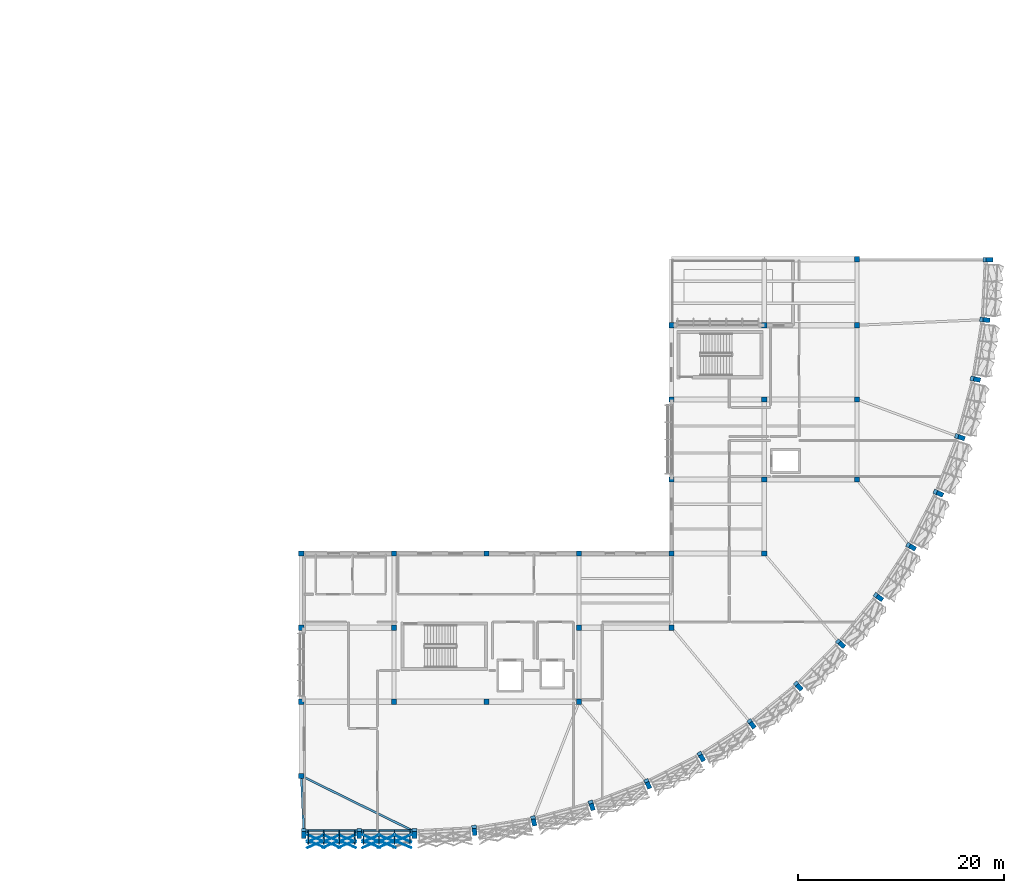
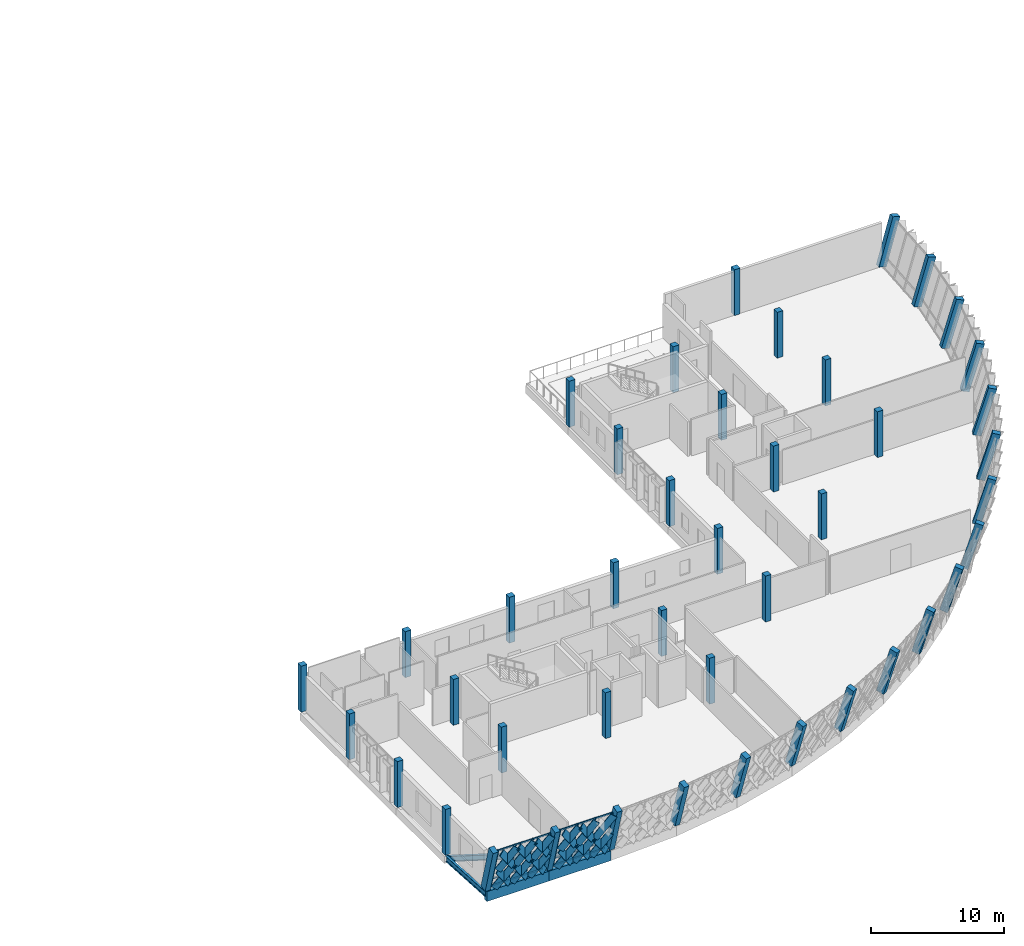
# One storey, part 1 of 24: 43 columns, 37 members, 4 beams, 2 elements without a shape of their own.
"""IFC4 building model written with IfcOpenShell, lengths in metres."""

from ifc_helpers import new_model, si_unit, direction, frame, origin, origin_2d, place, context, subcontext, project, spatial, rectangle, hollow_rectangle, i_section, extrude, material, material_profile, profile_set, type_object, element, aggregate, save


model = new_model("IFC4")

# Units and contexts
model_context = context("Model", 3, precision=1e-05, world=origin(), true_north=direction((0.0, 1.0)))
body_context = subcontext(model_context, "Body", "Model", "MODEL_VIEW")
ifc_project = project(units=[si_unit("LENGTHUNIT", "METRE"), si_unit("AREAUNIT", "SQUARE_METRE"), si_unit("VOLUMEUNIT", "CUBIC_METRE"), si_unit("PLANEANGLEUNIT", "RADIAN"), si_unit("MASSUNIT", "GRAM", prefix="KILO")], contexts=[model_context])

# Site, building, storey
site_placement = place(None, origin())
site = spatial("IfcSite", under=ifc_project, at=site_placement, CompositionType="ELEMENT")
building_placement = place(site_placement, origin())
building = spatial("IfcBuilding", under=site, at=building_placement, Name="Chiffa Square Polytechnic", CompositionType="ELEMENT")
storey_placement = place(building_placement, frame((0.0, 0.0, 22.199951171875)))
storey = spatial("IfcBuildingStorey", under=building, at=storey_placement, Name="L05", CompositionType="ELEMENT", Elevation=22.199951171875)

# Columns
ifc_material_1 = material(Name="Glulam GL32c", Category="wood")
ifc_material_profile_1 = material_profile(ifc_material_1, rectangle(XDim=0.449951171875, YDim=0.64990234375, at=origin_2d()), Name="GL32c 450x650")
ifc_profile_set_1 = profile_set([ifc_material_profile_1], Name="Glulam GL32c")
column_type_1 = type_object("IfcColumnType", Name="COL-RAKED-GL650", PredefinedType="USERDEFINED", material=ifc_profile_set_1)
for number, where, z_axis, x_axis, name in (
    (1, (112.449951171875, 1.784912109375, 0.0), (0.0, -0.272385973351, 0.962188069725), (1.0, 0.0, 0.0), "Outward-leaning glulam column CRK-V1-L05-01"),
    (2, (117.824951171875, 1.784912109375, 0.0), (0.0, -0.272385973351, 0.962188069725), (1.0, 0.0, 0.0), "Outward-leaning glulam column CRK-V1-L05-02"),
    (3, (123.199951171875, 1.784912109375, 0.0), (0.0, -0.272385973351, 0.962188069725), (1.0, 0.0, 0.0), "Outward-leaning glulam column CRK-V1-L05-03"),
    (4, (129.008056640625, 2.089111328125, 0.0), (0.028413773504, -0.270825770287, 0.962208948006), (0.994541409214, 0.104342634424, 0.0), "Outward-leaning glulam column CRK-V1-L05-04"),
    (5, (134.7529296875, 2.9990234375, 0.0), (0.056602328009, -0.266456018415, 0.962183645004), (0.978173459836, 0.207789996086, 0.0), "Outward-leaning glulam column CRK-V1-L05-05"),
):
    element("IfcColumn", number, at=place(storey_placement, frame(where, z_axis=z_axis, x_axis=x_axis)), inside=storey, type_object=column_type_1, Name=name, ObjectType="RAKED COLUMN", PredefinedType="USERDEFINED", context=body_context, shape_type="SweptSolid", body=[
        extrude(rectangle(XDim=0.449951171875, YDim=0.64990234375, at=origin_2d()), origin(), (0.0, 0.0, 1.0), 4.364990234375),
    ])
column_1_placement = place(storey_placement, frame((140.37109375, 4.50390625, 0.0), z_axis=(0.084070106583, -0.258866569039, 0.962247533961), x_axis=(0.951100497711, 0.308881600704, 0.0)))
element("IfcColumn", 6, at=column_1_placement, inside=storey, type_object=column_type_1, Name="Outward-leaning glulam column CRK-V1-L05-06", ObjectType="RAKED COLUMN", PredefinedType="USERDEFINED", context=body_context, shape_type="SweptSolid", body=[
    extrude(rectangle(XDim=0.449951171875, YDim=0.64990234375, at=origin_2d()), origin(), (0.0, 0.0, 1.0), 4.36474609375),
])
column_2_placement = place(storey_placement, frame((145.801025390625, 6.587890625, 0.0), z_axis=(0.110641898951, -0.248580687026, 0.962271277881), x_axis=(0.91359099995, 0.406634337962, 0.0)))
element("IfcColumn", 7, at=column_2_placement, inside=storey, type_object=column_type_1, Name="Outward-leaning glulam column CRK-V1-L05-07", ObjectType="RAKED COLUMN", PredefinedType="USERDEFINED", context=body_context, shape_type="SweptSolid", body=[
    extrude(rectangle(XDim=0.449951171875, YDim=0.64990234375, at=origin_2d()), origin(), (0.0, 0.0, 1.0), 4.364501953125),
])
for number, where, z_axis, x_axis, name in (
    (8, (150.98291015625, 9.22900390625, 0.0), (0.136087762367, -0.235762399662, 0.962235008633), (0.866072678707, 0.499918108492, 0.0), "Outward-leaning glulam column CRK-V1-L05-08"),
    (9, (155.861083984375, 12.39697265625, 0.0), (0.159912762431, -0.220376454696, 0.96221729699), (0.809366323237, 0.587304141659, 0.0), "Outward-leaning glulam column CRK-V1-L05-09"),
    (10, (160.381103515625, 16.056884765625, 0.0), (0.18212404441, -0.202260609516, 0.962248137585), (0.743130622956, 0.66914637952, 0.0), "Outward-leaning glulam column CRK-V1-L05-10"),
    (11, (164.492919921875, 20.1689453125, 0.0), (0.202314255248, -0.182121983712, 0.96223724994), (0.669044195359, 0.743222621196, 0.0), "Outward-leaning glulam column CRK-V1-L05-11"),
    (12, (168.153076171875, 24.68896484375, 0.0), (0.220376454696, -0.159912762431, 0.96221729699), (0.587304141659, 0.809366323237, 0.0), "Outward-leaning glulam column CRK-V1-L05-12"),
    (13, (171.321044921875, 29.56689453125, 0.0), (0.235762399662, -0.136087762367, 0.962235008633), (0.499918108492, 0.866072678707, 0.0), "Outward-leaning glulam column CRK-V1-L05-13"),
    (14, (173.9619140625, 34.7490234375, 0.0), (0.248633165747, -0.11064036037, 0.962257896589), (0.406557978978, 0.913624983092, 0.0), "Outward-leaning glulam column CRK-V1-L05-14"),
    (15, (176.0458984375, 40.178955078125, 0.0), (0.258918754471, -0.08406888917, 0.962233599734), (0.308821237665, 0.951120099234, 0.0), "Outward-leaning glulam column CRK-V1-L05-15"),
):
    element("IfcColumn", number, at=place(storey_placement, frame(where, z_axis=z_axis, x_axis=x_axis)), inside=storey, type_object=column_type_1, Name=name, ObjectType="RAKED COLUMN", PredefinedType="USERDEFINED", context=body_context, shape_type="SweptSolid", body=[
        extrude(rectangle(XDim=0.449951171875, YDim=0.64990234375, at=origin_2d()), origin(), (0.0, 0.0, 1.0), 4.36474609375),
    ])
for number, where, z_axis, x_axis, name in (
    (16, (177.551025390625, 45.797119140625, 0.0), (0.266456018415, -0.056602328009, 0.962183645004), (0.207789996086, 0.978173459836, 0.0), "Outward-leaning glulam column CRK-V1-L05-16"),
    (17, (178.4609375, 51.5419921875, 0.0), (0.270825770287, -0.028413773504, 0.962208948006), (0.104342634424, 0.994541409214, 0.0), "Outward-leaning glulam column CRK-V1-L05-17"),
    (18, (178.764892578125, 57.35009765625, 0.0), (0.272437753797, 0.0, 0.962173409685), (0.0, 1.0, 0.0), "Outward-leaning glulam column CRK-V1-L05-18"),
):
    element("IfcColumn", number, at=place(storey_placement, frame(where, z_axis=z_axis, x_axis=x_axis)), inside=storey, type_object=column_type_1, Name=name, ObjectType="RAKED COLUMN", PredefinedType="USERDEFINED", context=body_context, shape_type="SweptSolid", body=[
        extrude(rectangle(XDim=0.449951171875, YDim=0.64990234375, at=origin_2d()), origin(), (0.0, 0.0, 1.0), 4.364990234375),
    ])
ifc_material_2 = material(Name="Concrete C35/45", Category="concrete")
ifc_material_profile_2 = material_profile(ifc_material_2, rectangle(XDim=0.5, YDim=0.5, at=origin_2d()), Name="RC 500x500")
ifc_profile_set_2 = profile_set([ifc_material_profile_2], Name="Concrete C35/45")
column_type_2 = type_object("IfcColumnType", Name="COL-RC-500", PredefinedType="COLUMN", material=ifc_profile_set_2)
for number, where, z_axis, x_axis, name in (
    (19, (112.199951171875, 7.199951171875, 0.0), (0.0, 0.0, 1.0), (1.0, 0.0, 0.0), "Column C-V1-L05-1122-0072"),
    (20, (112.199951171875, 14.39990234375, 0.0), (0.0, 0.0, 1.0), (1.0, 0.0, 0.0), "Column C-V1-L05-1122-0144"),
    (21, (112.199951171875, 21.60009765625, 0.0), (0.0, 0.0, 1.0), (1.0, 0.0, 0.0), "Column C-V1-L05-1122-0216"),
    (22, (112.199951171875, 28.800048828125, 0.0), (0.0, 0.0, 1.0), (1.0, 0.0, 0.0), "Column C-V1-L05-1122-0288"),
    (23, (121.199951171875, 14.39990234375, 0.0), (0.0, 0.0, 1.0), (1.0, 0.0, 0.0), "Column C-V1-L05-1212-0144"),
    (24, (121.199951171875, 21.60009765625, 0.0), (0.0, 0.0, 1.0), (1.0, 0.0, 0.0), "Column C-V1-L05-1212-0216"),
    (25, (121.199951171875, 28.800048828125, 0.0), (0.0, 0.0, 1.0), (1.0, 0.0, 0.0), "Column C-V1-L05-1212-0288"),
    (26, (130.199951171875, 14.39990234375, 0.0), (0.0, 0.0, 1.0), (1.0, 0.0, 0.0), "Column C-V1-L05-1302-0144"),
    (27, (130.199951171875, 28.800048828125, 0.0), (0.0, 0.0, 1.0), (1.0, 0.0, 0.0), "Column C-V1-L05-1302-0288"),
    (28, (139.199951171875, 14.39990234375, 0.0), (0.0, 0.0, 1.0), (1.0, 0.0, 0.0), "Column C-V1-L05-1392-0144"),
    (29, (139.199951171875, 21.60009765625, 0.0), (0.0, 0.0, 1.0), (1.0, 0.0, 0.0), "Column C-V1-L05-1392-0216"),
    (30, (139.199951171875, 28.800048828125, 0.0), (0.0, 0.0, 1.0), (1.0, 0.0, 0.0), "Column C-V1-L05-1392-0288"),
    (31, (148.199951171875, 21.60009765625, 0.0), (0.0, 0.0, 1.0), (1.0, 0.0, 0.0), "Column C-V1-L05-1482-0216"),
    (32, (148.199951171875, 28.800048828125, 0.0), (0.0, 0.0, 1.0), (1.0, 0.0, 0.0), "Column C-V1-L05-1482-0288"),
    (33, (148.199951171875, 36.0, 0.0), (0.0, 0.0, 1.0), (1.0, 0.0, 0.0), "Column C-V1-L05-1482-0360"),
    (34, (148.199951171875, 43.800048828125, 0.0), (0.0, 0.0, 1.0), (1.0, 0.0, 0.0), "Column C-V1-L05-1482-0438"),
    (35, (148.199951171875, 51.0, 0.0), (0.0, 0.0, 1.0), (1.0, 0.0, 0.0), "Column C-V1-L05-1482-0510"),
    (36, (157.199951171875, 28.800048828125, 0.0), (0.0, 0.0, 1.0), (1.0, 0.0, 0.0), "Column C-V1-L05-1572-0288"),
    (37, (157.199951171875, 36.0, 0.0), (0.0, 0.0, 1.0), (1.0, 0.0, 0.0), "Column C-V1-L05-1572-0360"),
    (38, (157.199951171875, 43.800048828125, 0.0), (0.0, 0.0, 1.0), (1.0, 0.0, 0.0), "Column C-V1-L05-1572-0438"),
    (39, (157.199951171875, 51.0, 0.0), (0.0, 0.0, 1.0), (1.0, 0.0, 0.0), "Column C-V1-L05-1572-0510"),
    (40, (166.199951171875, 36.0, 0.0), (0.0, 0.0, 1.0), (1.0, 0.0, 0.0), "Column C-V1-L05-1662-0360"),
    (41, (166.199951171875, 43.800048828125, 0.0), (0.0, 0.0, 1.0), (1.0, 0.0, 0.0), "Column C-V1-L05-1662-0438"),
    (42, (166.199951171875, 51.0, 0.0), (0.0, 0.0, 1.0), (1.0, 0.0, 0.0), "Column C-V1-L05-1662-0510"),
    (43, (166.199951171875, 57.419921875, 0.0), (0.0, 0.0, 1.0), (1.0, 0.0, 0.0), "Column C-V1-L05-1662-0574"),
):
    element("IfcColumn", number, at=place(storey_placement, frame(where, z_axis=z_axis, x_axis=x_axis)), inside=storey, type_object=column_type_2, Name=name, PredefinedType="COLUMN", context=body_context, shape_type="SweptSolid", body=[
        extrude(rectangle(XDim=0.5, YDim=0.5, at=origin_2d()), origin(), (0.0, 0.0, 1.0), 4.199951171875),
    ])

# Beams
ifc_material_3 = material(Name="Steel S355", Category="steel")
ifc_material_profile_3 = material_profile(ifc_material_3, i_section(OverallWidth=0.199951171875, OverallDepth=0.5, WebThickness=0.01025390625, FlangeThickness=0.01611328125, FilletRadius=0.02099609375, at=origin_2d()), Name="IPE 500")
ifc_profile_set_3 = profile_set([ifc_material_profile_3], Name="Steel S355")
beam_type_1 = type_object("IfcBeamType", Name="BM-STL-IPE500", PredefinedType="BEAM", material=ifc_profile_set_3)
beam_1_placement = place(storey_placement, frame((112.449951171875, 1.784912109375, -0.510009765625), z_axis=(-0.046118594898, 0.998935971524, 0.0), x_axis=(-0.998935971524, -0.046118594898, 0.0)))
element("IfcBeam", 44, at=beam_1_placement, inside=storey, type_object=beam_type_1, Name="Prow radial tie girder BM-V1-RAD-L05-01", PredefinedType="BEAM", context=body_context, shape_type="SweptSolid", body=[
    extrude(i_section(OverallWidth=0.199951171875, OverallDepth=0.5, WebThickness=0.01025390625, FlangeThickness=0.01611328125, FilletRadius=0.02099609375, at=origin_2d()), origin(), (0.0, 0.0, 1.0), 5.4208984375),
])
beam_2_placement = place(storey_placement, frame((123.199951171875, 1.784912109375, -0.510009765625), z_axis=(-0.897181844105, 0.441661339272, 0.0), x_axis=(-0.441661339272, -0.897181844105, 0.0)))
element("IfcBeam", 45, at=beam_2_placement, inside=storey, type_object=beam_type_1, Name="Prow radial tie girder BM-V1-RAD-L05-03", PredefinedType="BEAM", context=body_context, shape_type="SweptSolid", body=[
    extrude(i_section(OverallWidth=0.199951171875, OverallDepth=0.5, WebThickness=0.01025390625, FlangeThickness=0.01611328125, FilletRadius=0.02099609375, at=origin_2d()), origin(), (0.0, 0.0, 1.0), 12.260498046875),
])

# Curtain wall, members
ifc_material_4 = material(Name="Aluminium EN AW-6060 T66 and glulam shading", Category="wood")
curtain_wall_type_1 = type_object("IfcCurtainWallType", Name="CW-PROW-LEAN-150", PredefinedType="USERDEFINED", material=ifc_material_4)
curtain_wall_1_placement = place(storey_placement, origin())
curtain_wall_1 = element("IfcCurtainWall", 46, at=curtain_wall_1_placement, inside=storey, type_object=curtain_wall_type_1, Name="Outward-leaning diamond-fin prow curtain wall CW-V1-L05-078", ObjectType="CURTAIN WALL", PredefinedType="USERDEFINED")
ifc_material_5 = material(Name="Aluminium EN AW-6060 T66", Category="aluminium")
ifc_material_profile_4 = material_profile(ifc_material_5, hollow_rectangle(XDim=0.06494140625, YDim=0.179931640625, WallThickness=0.00390625, at=origin_2d()), Name="ALU 65x180x4")
ifc_profile_set_4 = profile_set([ifc_material_profile_4], Name="Aluminium EN AW-6060 T66")
member_type_1 = type_object("IfcMemberType", Name="CWM-ALU-75X180", PredefinedType="MULLION", material=ifc_profile_set_4)
member_1_placement = place(storey_placement, frame((112.8798828125, 1.784912109375, 0.0), z_axis=(0.0, -0.272444125341, 0.962171605571), x_axis=(1.0, 0.0, 0.0)))
member_1 = element("IfcMember", 47, at=member_1_placement, type_object=member_type_1, Name="Leaning prow mullion CW-V1-L05-078-M00", PredefinedType="MULLION", context=body_context, shape_type="SweptSolid", body=[
    extrude(hollow_rectangle(XDim=0.06494140625, YDim=0.179931640625, WallThickness=0.00390625, at=origin_2d()), origin(), (0.0, 0.0, 1.0), 4.136474609375),
])
member_2_placement = place(storey_placement, frame((114.385009765625, 1.784912109375, 0.0), z_axis=(0.0, -0.272444125341, 0.962171605571), x_axis=(1.0, 0.0, 0.0)))
member_2 = element("IfcMember", 48, at=member_2_placement, type_object=member_type_1, Name="Leaning prow mullion CW-V1-L05-078-M01", PredefinedType="MULLION", context=body_context, shape_type="SweptSolid", body=[
    extrude(hollow_rectangle(XDim=0.06494140625, YDim=0.179931640625, WallThickness=0.00390625, at=origin_2d()), origin(), (0.0, 0.0, 1.0), 4.136474609375),
])
member_3_placement = place(storey_placement, frame((115.889892578125, 1.784912109375, 0.0), z_axis=(0.0, -0.272444125341, 0.962171605571), x_axis=(1.0, 0.0, 0.0)))
member_3 = element("IfcMember", 49, at=member_3_placement, type_object=member_type_1, Name="Leaning prow mullion CW-V1-L05-078-M02", PredefinedType="MULLION", context=body_context, shape_type="SweptSolid", body=[
    extrude(hollow_rectangle(XDim=0.06494140625, YDim=0.179931640625, WallThickness=0.00390625, at=origin_2d()), origin(), (0.0, 0.0, 1.0), 4.136474609375),
])
member_4_placement = place(storey_placement, frame((117.39501953125, 1.784912109375, 0.0), z_axis=(0.0, -0.272444125341, 0.962171605571), x_axis=(1.0, 0.0, 0.0)))
member_4 = element("IfcMember", 50, at=member_4_placement, type_object=member_type_1, Name="Leaning prow mullion CW-V1-L05-078-M03", PredefinedType="MULLION", context=body_context, shape_type="SweptSolid", body=[
    extrude(hollow_rectangle(XDim=0.06494140625, YDim=0.179931640625, WallThickness=0.00390625, at=origin_2d()), origin(), (0.0, 0.0, 1.0), 4.136474609375),
])

curtain_wall_type_2 = type_object("IfcCurtainWallType", Name="CW-PROW-LEAN-300", PredefinedType="USERDEFINED", material=ifc_material_4)
curtain_wall_2_placement = place(storey_placement, origin())
curtain_wall_2 = element("IfcCurtainWall", 51, at=curtain_wall_2_placement, inside=storey, type_object=curtain_wall_type_2, Name="Outward-leaning diamond-fin prow curtain wall CW-V1-L05-079", ObjectType="CURTAIN WALL", PredefinedType="USERDEFINED")
member_5_placement = place(storey_placement, frame((118.2548828125, 1.784912109375, 0.0), z_axis=(0.0, -0.272444125341, 0.962171605571), x_axis=(1.0, 0.0, 0.0)))
member_5 = element("IfcMember", 52, at=member_5_placement, type_object=member_type_1, Name="Leaning prow mullion CW-V1-L05-079-M00", PredefinedType="MULLION", context=body_context, shape_type="SweptSolid", body=[
    extrude(hollow_rectangle(XDim=0.06494140625, YDim=0.179931640625, WallThickness=0.00390625, at=origin_2d()), origin(), (0.0, 0.0, 1.0), 4.136474609375),
])
member_6_placement = place(storey_placement, frame((119.760009765625, 1.784912109375, 0.0), z_axis=(0.0, -0.272444125341, 0.962171605571), x_axis=(1.0, 0.0, 0.0)))
member_6 = element("IfcMember", 53, at=member_6_placement, type_object=member_type_1, Name="Leaning prow mullion CW-V1-L05-079-M01", PredefinedType="MULLION", context=body_context, shape_type="SweptSolid", body=[
    extrude(hollow_rectangle(XDim=0.06494140625, YDim=0.179931640625, WallThickness=0.00390625, at=origin_2d()), origin(), (0.0, 0.0, 1.0), 4.136474609375),
])
member_7_placement = place(storey_placement, frame((121.264892578125, 1.784912109375, 0.0), z_axis=(0.0, -0.272444125341, 0.962171605571), x_axis=(1.0, 0.0, 0.0)))
member_7 = element("IfcMember", 54, at=member_7_placement, type_object=member_type_1, Name="Leaning prow mullion CW-V1-L05-079-M02", PredefinedType="MULLION", context=body_context, shape_type="SweptSolid", body=[
    extrude(hollow_rectangle(XDim=0.06494140625, YDim=0.179931640625, WallThickness=0.00390625, at=origin_2d()), origin(), (0.0, 0.0, 1.0), 4.136474609375),
])
member_8_placement = place(storey_placement, frame((122.77001953125, 1.784912109375, 0.0), z_axis=(0.0, -0.272444125341, 0.962171605571), x_axis=(1.0, 0.0, 0.0)))
member_8 = element("IfcMember", 55, at=member_8_placement, type_object=member_type_1, Name="Leaning prow mullion CW-V1-L05-079-M03", PredefinedType="MULLION", context=body_context, shape_type="SweptSolid", body=[
    extrude(hollow_rectangle(XDim=0.06494140625, YDim=0.179931640625, WallThickness=0.00390625, at=origin_2d()), origin(), (0.0, 0.0, 1.0), 4.136474609375),
])

# Member
ifc_material_6 = material(Name="Glulam GL28h", Category="wood")
ifc_material_profile_5 = material_profile(ifc_material_6, rectangle(XDim=0.080078125, YDim=0.580078125, at=origin_2d()), Name="GL28h 80x580")
ifc_profile_set_5 = profile_set([ifc_material_profile_5], Name="Glulam GL28h")
member_type_2 = type_object("IfcMemberType", Name="CWM-GL-80X580", PredefinedType="MULLION", material=ifc_profile_set_5)
member_9_placement = place(storey_placement, frame((112.962890625, 1.39892578125, 0.0400390625), z_axis=(0.551292435883, -0.227251084327, 0.802766214293), x_axis=(0.381105839785, 0.924531415843, 0.0)))
member_9 = element("IfcMember", 56, at=member_9_placement, type_object=member_type_2, Name="Diamond glulam fin CW-V1-L05-078-DF01A", PredefinedType="MULLION", context=body_context, shape_type="SweptSolid", body=[
    extrude(rectangle(XDim=0.080078125, YDim=0.580078125, at=origin_2d()), origin(), (0.0, 0.0, 1.0), 2.428955078125),
])

member_10_placement = place(storey_placement, frame((114.302001953125, 1.39892578125, 0.0400390625), z_axis=(-0.551292435883, -0.227251084327, 0.802766214293), x_axis=(0.381105839785, -0.924531415843, 0.0)))
member_10 = element("IfcMember", 57, at=member_10_placement, type_object=member_type_2, Name="Diamond glulam fin CW-V1-L05-078-DF01B", PredefinedType="MULLION", context=body_context, shape_type="SweptSolid", body=[
    extrude(rectangle(XDim=0.080078125, YDim=0.580078125, at=origin_2d()), origin(), (0.0, 0.0, 1.0), 2.428955078125),
])

member_11_placement = place(storey_placement, frame((112.962890625, 0.846923828125, 1.989990234375), z_axis=(0.551242030396, -0.22763230608, 0.802692816184), x_axis=(0.381681917309, 0.924293737942, 0.0)))
member_11 = element("IfcMember", 58, at=member_11_placement, type_object=member_type_2, Name="Diamond glulam fin CW-V1-L05-078-DF02A", PredefinedType="MULLION", context=body_context, shape_type="SweptSolid", body=[
    extrude(rectangle(XDim=0.080078125, YDim=0.580078125, at=origin_2d()), origin(), (0.0, 0.0, 1.0), 2.42919921875),
])

member_12_placement = place(storey_placement, frame((114.302001953125, 0.846923828125, 1.989990234375), z_axis=(-0.551242030396, -0.22763230608, 0.802692816184), x_axis=(0.381681917309, -0.924293737942, 0.0)))
member_12 = element("IfcMember", 59, at=member_12_placement, type_object=member_type_2, Name="Diamond glulam fin CW-V1-L05-078-DF02B", PredefinedType="MULLION", context=body_context, shape_type="SweptSolid", body=[
    extrude(rectangle(XDim=0.080078125, YDim=0.580078125, at=origin_2d()), origin(), (0.0, 0.0, 1.0), 2.42919921875),
])

member_13_placement = place(storey_placement, frame((114.468017578125, 1.39892578125, 0.0400390625), z_axis=(0.551222468027, -0.227263676187, 0.802810695138), x_axis=(0.381165238117, 0.92450692872, 0.0)))
member_13 = element("IfcMember", 60, at=member_13_placement, type_object=member_type_2, Name="Diamond glulam fin CW-V1-L05-078-DF03A", PredefinedType="MULLION", context=body_context, shape_type="SweptSolid", body=[
    extrude(rectangle(XDim=0.080078125, YDim=0.580078125, at=origin_2d()), origin(), (0.0, 0.0, 1.0), 2.428955078125),
])

member_14_placement = place(storey_placement, frame((115.806884765625, 1.39892578125, 0.0400390625), z_axis=(-0.551222468027, -0.227263676187, 0.802810695138), x_axis=(0.381165238117, -0.92450692872, 0.0)))
member_14 = element("IfcMember", 61, at=member_14_placement, type_object=member_type_2, Name="Diamond glulam fin CW-V1-L05-078-DF03B", PredefinedType="MULLION", context=body_context, shape_type="SweptSolid", body=[
    extrude(rectangle(XDim=0.080078125, YDim=0.580078125, at=origin_2d()), origin(), (0.0, 0.0, 1.0), 2.428955078125),
])

member_15_placement = place(storey_placement, frame((114.468017578125, 0.846923828125, 1.989990234375), z_axis=(0.551172063353, -0.227644916757, 0.802737284829), x_axis=(0.381741374838, 0.924269183051, 0.0)))
member_15 = element("IfcMember", 62, at=member_15_placement, type_object=member_type_2, Name="Diamond glulam fin CW-V1-L05-078-DF04A", PredefinedType="MULLION", context=body_context, shape_type="SweptSolid", body=[
    extrude(rectangle(XDim=0.080078125, YDim=0.580078125, at=origin_2d()), origin(), (0.0, 0.0, 1.0), 2.42919921875),
])

member_16_placement = place(storey_placement, frame((115.806884765625, 0.846923828125, 1.989990234375), z_axis=(-0.551172063353, -0.227644916757, 0.802737284829), x_axis=(0.381741374838, -0.924269183051, 0.0)))
member_16 = element("IfcMember", 63, at=member_16_placement, type_object=member_type_2, Name="Diamond glulam fin CW-V1-L05-078-DF04B", PredefinedType="MULLION", context=body_context, shape_type="SweptSolid", body=[
    extrude(rectangle(XDim=0.080078125, YDim=0.580078125, at=origin_2d()), origin(), (0.0, 0.0, 1.0), 2.42919921875),
])

member_17_placement = place(storey_placement, frame((115.972900390625, 1.39892578125, 0.0400390625), z_axis=(0.551292435883, -0.227251084327, 0.802766214293), x_axis=(0.381105839785, 0.924531415843, 0.0)))
member_17 = element("IfcMember", 64, at=member_17_placement, type_object=member_type_2, Name="Diamond glulam fin CW-V1-L05-078-DF05A", PredefinedType="MULLION", context=body_context, shape_type="SweptSolid", body=[
    extrude(rectangle(XDim=0.080078125, YDim=0.580078125, at=origin_2d()), origin(), (0.0, 0.0, 1.0), 2.428955078125),
])

member_18_placement = place(storey_placement, frame((117.31201171875, 1.39892578125, 0.0400390625), z_axis=(-0.551292435883, -0.227251084327, 0.802766214293), x_axis=(0.381105839785, -0.924531415843, 0.0)))
member_18 = element("IfcMember", 65, at=member_18_placement, type_object=member_type_2, Name="Diamond glulam fin CW-V1-L05-078-DF05B", PredefinedType="MULLION", context=body_context, shape_type="SweptSolid", body=[
    extrude(rectangle(XDim=0.080078125, YDim=0.580078125, at=origin_2d()), origin(), (0.0, 0.0, 1.0), 2.428955078125),
])

member_19_placement = place(storey_placement, frame((115.972900390625, 0.846923828125, 1.989990234375), z_axis=(0.551242030396, -0.22763230608, 0.802692816184), x_axis=(0.381681917309, 0.924293737942, 0.0)))
member_19 = element("IfcMember", 66, at=member_19_placement, type_object=member_type_2, Name="Diamond glulam fin CW-V1-L05-078-DF06A", PredefinedType="MULLION", context=body_context, shape_type="SweptSolid", body=[
    extrude(rectangle(XDim=0.080078125, YDim=0.580078125, at=origin_2d()), origin(), (0.0, 0.0, 1.0), 2.42919921875),
])

member_20_placement = place(storey_placement, frame((117.31201171875, 0.846923828125, 1.989990234375), z_axis=(-0.551242030396, -0.22763230608, 0.802692816184), x_axis=(0.381681917309, -0.924293737942, 0.0)))
member_20 = element("IfcMember", 67, at=member_20_placement, type_object=member_type_2, Name="Diamond glulam fin CW-V1-L05-078-DF06B", PredefinedType="MULLION", context=body_context, shape_type="SweptSolid", body=[
    extrude(rectangle(XDim=0.080078125, YDim=0.580078125, at=origin_2d()), origin(), (0.0, 0.0, 1.0), 2.42919921875),
])

member_21_placement = place(storey_placement, frame((118.337890625, 1.39892578125, 0.0400390625), z_axis=(0.551292435883, -0.227251084327, 0.802766214293), x_axis=(0.381105839785, 0.924531415843, 0.0)))
member_21 = element("IfcMember", 68, at=member_21_placement, type_object=member_type_2, Name="Diamond glulam fin CW-V1-L05-079-DF01A", PredefinedType="MULLION", context=body_context, shape_type="SweptSolid", body=[
    extrude(rectangle(XDim=0.080078125, YDim=0.580078125, at=origin_2d()), origin(), (0.0, 0.0, 1.0), 2.428955078125),
])

member_22_placement = place(storey_placement, frame((119.677001953125, 1.39892578125, 0.0400390625), z_axis=(-0.551292435883, -0.227251084327, 0.802766214293), x_axis=(0.381105839785, -0.924531415843, 0.0)))
member_22 = element("IfcMember", 69, at=member_22_placement, type_object=member_type_2, Name="Diamond glulam fin CW-V1-L05-079-DF01B", PredefinedType="MULLION", context=body_context, shape_type="SweptSolid", body=[
    extrude(rectangle(XDim=0.080078125, YDim=0.580078125, at=origin_2d()), origin(), (0.0, 0.0, 1.0), 2.428955078125),
])

member_23_placement = place(storey_placement, frame((118.337890625, 0.846923828125, 1.989990234375), z_axis=(0.551242030396, -0.22763230608, 0.802692816184), x_axis=(0.381681917309, 0.924293737942, 0.0)))
member_23 = element("IfcMember", 70, at=member_23_placement, type_object=member_type_2, Name="Diamond glulam fin CW-V1-L05-079-DF02A", PredefinedType="MULLION", context=body_context, shape_type="SweptSolid", body=[
    extrude(rectangle(XDim=0.080078125, YDim=0.580078125, at=origin_2d()), origin(), (0.0, 0.0, 1.0), 2.42919921875),
])

member_24_placement = place(storey_placement, frame((119.677001953125, 0.846923828125, 1.989990234375), z_axis=(-0.551242030396, -0.22763230608, 0.802692816184), x_axis=(0.381681917309, -0.924293737942, 0.0)))
member_24 = element("IfcMember", 71, at=member_24_placement, type_object=member_type_2, Name="Diamond glulam fin CW-V1-L05-079-DF02B", PredefinedType="MULLION", context=body_context, shape_type="SweptSolid", body=[
    extrude(rectangle(XDim=0.080078125, YDim=0.580078125, at=origin_2d()), origin(), (0.0, 0.0, 1.0), 2.42919921875),
])

member_25_placement = place(storey_placement, frame((119.843017578125, 1.39892578125, 0.0400390625), z_axis=(0.551222468027, -0.227263676187, 0.802810695138), x_axis=(0.381165238117, 0.92450692872, 0.0)))
member_25 = element("IfcMember", 72, at=member_25_placement, type_object=member_type_2, Name="Diamond glulam fin CW-V1-L05-079-DF03A", PredefinedType="MULLION", context=body_context, shape_type="SweptSolid", body=[
    extrude(rectangle(XDim=0.080078125, YDim=0.580078125, at=origin_2d()), origin(), (0.0, 0.0, 1.0), 2.428955078125),
])

member_26_placement = place(storey_placement, frame((121.181884765625, 1.39892578125, 0.0400390625), z_axis=(-0.551222468027, -0.227263676187, 0.802810695138), x_axis=(0.381165238117, -0.92450692872, 0.0)))
member_26 = element("IfcMember", 73, at=member_26_placement, type_object=member_type_2, Name="Diamond glulam fin CW-V1-L05-079-DF03B", PredefinedType="MULLION", context=body_context, shape_type="SweptSolid", body=[
    extrude(rectangle(XDim=0.080078125, YDim=0.580078125, at=origin_2d()), origin(), (0.0, 0.0, 1.0), 2.428955078125),
])

member_27_placement = place(storey_placement, frame((119.843017578125, 0.846923828125, 1.989990234375), z_axis=(0.551172063353, -0.227644916757, 0.802737284829), x_axis=(0.381741374838, 0.924269183051, 0.0)))
member_27 = element("IfcMember", 74, at=member_27_placement, type_object=member_type_2, Name="Diamond glulam fin CW-V1-L05-079-DF04A", PredefinedType="MULLION", context=body_context, shape_type="SweptSolid", body=[
    extrude(rectangle(XDim=0.080078125, YDim=0.580078125, at=origin_2d()), origin(), (0.0, 0.0, 1.0), 2.42919921875),
])

member_28_placement = place(storey_placement, frame((121.181884765625, 0.846923828125, 1.989990234375), z_axis=(-0.551172063353, -0.227644916757, 0.802737284829), x_axis=(0.381741374838, -0.924269183051, 0.0)))
member_28 = element("IfcMember", 75, at=member_28_placement, type_object=member_type_2, Name="Diamond glulam fin CW-V1-L05-079-DF04B", PredefinedType="MULLION", context=body_context, shape_type="SweptSolid", body=[
    extrude(rectangle(XDim=0.080078125, YDim=0.580078125, at=origin_2d()), origin(), (0.0, 0.0, 1.0), 2.42919921875),
])

member_29_placement = place(storey_placement, frame((121.347900390625, 1.39892578125, 0.0400390625), z_axis=(0.551292435883, -0.227251084327, 0.802766214293), x_axis=(0.381105839785, 0.924531415843, 0.0)))
member_29 = element("IfcMember", 76, at=member_29_placement, type_object=member_type_2, Name="Diamond glulam fin CW-V1-L05-079-DF05A", PredefinedType="MULLION", context=body_context, shape_type="SweptSolid", body=[
    extrude(rectangle(XDim=0.080078125, YDim=0.580078125, at=origin_2d()), origin(), (0.0, 0.0, 1.0), 2.428955078125),
])

member_30_placement = place(storey_placement, frame((122.68701171875, 1.39892578125, 0.0400390625), z_axis=(-0.551292435883, -0.227251084327, 0.802766214293), x_axis=(0.381105839785, -0.924531415843, 0.0)))
member_30 = element("IfcMember", 77, at=member_30_placement, type_object=member_type_2, Name="Diamond glulam fin CW-V1-L05-079-DF05B", PredefinedType="MULLION", context=body_context, shape_type="SweptSolid", body=[
    extrude(rectangle(XDim=0.080078125, YDim=0.580078125, at=origin_2d()), origin(), (0.0, 0.0, 1.0), 2.428955078125),
])

member_31_placement = place(storey_placement, frame((121.347900390625, 0.846923828125, 1.989990234375), z_axis=(0.551242030396, -0.22763230608, 0.802692816184), x_axis=(0.381681917309, 0.924293737942, 0.0)))
member_31 = element("IfcMember", 78, at=member_31_placement, type_object=member_type_2, Name="Diamond glulam fin CW-V1-L05-079-DF06A", PredefinedType="MULLION", context=body_context, shape_type="SweptSolid", body=[
    extrude(rectangle(XDim=0.080078125, YDim=0.580078125, at=origin_2d()), origin(), (0.0, 0.0, 1.0), 2.42919921875),
])

ifc_material_profile_6 = material_profile(ifc_material_5, hollow_rectangle(XDim=0.06494140625, YDim=0.139892578125, WallThickness=0.00390625, at=origin_2d()), Name="ALU 65x140x4")
ifc_profile_set_6 = profile_set([ifc_material_profile_6], Name="Aluminium EN AW-6060 T66")
member_type_3 = type_object("IfcMemberType", Name="CWT-ALU-75X140", PredefinedType="USERDEFINED", material=ifc_profile_set_6)
member_32_placement = place(storey_placement, frame((112.8798828125, 1.773681640625, 0.0400390625), z_axis=(1.0, 0.0, 0.0), x_axis=(0.0, 1.0, 0.0)))
member_32 = element("IfcMember", 79, at=member_32_placement, type_object=member_type_3, Name="Leaning prow transom CW-V1-L05-078-T01", ObjectType="TRANSOM", PredefinedType="USERDEFINED", context=body_context, shape_type="SweptSolid", body=[
    extrude(hollow_rectangle(XDim=0.06494140625, YDim=0.139892578125, WallThickness=0.00390625, at=origin_2d()), origin(), (0.0, 0.0, 1.0), 4.51513671875),
])

member_33_placement = place(storey_placement, frame((112.8798828125, 1.544189453125, 0.85009765625), z_axis=(1.0, 0.0, 0.0), x_axis=(0.0, 1.0, 0.0)))
member_33 = element("IfcMember", 80, at=member_33_placement, type_object=member_type_3, Name="Leaning prow transom CW-V1-L05-078-T02", ObjectType="TRANSOM", PredefinedType="USERDEFINED", context=body_context, shape_type="SweptSolid", body=[
    extrude(hollow_rectangle(XDim=0.06494140625, YDim=0.139892578125, WallThickness=0.00390625, at=origin_2d()), origin(), (0.0, 0.0, 1.0), 4.51513671875),
])

member_34_placement = place(storey_placement, frame((112.8798828125, 0.669189453125, 3.93994140625), z_axis=(1.0, 0.0, 0.0), x_axis=(0.0, 1.0, 0.0)))
member_34 = element("IfcMember", 81, at=member_34_placement, type_object=member_type_3, Name="Leaning prow transom CW-V1-L05-078-T03", ObjectType="TRANSOM", PredefinedType="USERDEFINED", context=body_context, shape_type="SweptSolid", body=[
    extrude(hollow_rectangle(XDim=0.06494140625, YDim=0.139892578125, WallThickness=0.00390625, at=origin_2d()), origin(), (0.0, 0.0, 1.0), 4.51513671875),
])

aggregate(curtain_wall_1, [member_1, member_2, member_3, member_4, member_32, member_33, member_34, member_9, member_10, member_11, member_12, member_13, member_14, member_15, member_16, member_17, member_18, member_19, member_20])

member_35_placement = place(storey_placement, frame((118.2548828125, 1.773681640625, 0.0400390625), z_axis=(1.0, 0.0, 0.0), x_axis=(0.0, 1.0, 0.0)))
member_35 = element("IfcMember", 82, at=member_35_placement, type_object=member_type_3, Name="Leaning prow transom CW-V1-L05-079-T01", ObjectType="TRANSOM", PredefinedType="USERDEFINED", context=body_context, shape_type="SweptSolid", body=[
    extrude(hollow_rectangle(XDim=0.06494140625, YDim=0.139892578125, WallThickness=0.00390625, at=origin_2d()), origin(), (0.0, 0.0, 1.0), 4.51513671875),
])

member_36_placement = place(storey_placement, frame((118.2548828125, 1.544189453125, 0.85009765625), z_axis=(1.0, 0.0, 0.0), x_axis=(0.0, 1.0, 0.0)))
member_36 = element("IfcMember", 83, at=member_36_placement, type_object=member_type_3, Name="Leaning prow transom CW-V1-L05-079-T02", ObjectType="TRANSOM", PredefinedType="USERDEFINED", context=body_context, shape_type="SweptSolid", body=[
    extrude(hollow_rectangle(XDim=0.06494140625, YDim=0.139892578125, WallThickness=0.00390625, at=origin_2d()), origin(), (0.0, 0.0, 1.0), 4.51513671875),
])

member_37_placement = place(storey_placement, frame((118.2548828125, 0.669189453125, 3.93994140625), z_axis=(1.0, 0.0, 0.0), x_axis=(0.0, 1.0, 0.0)))
member_37 = element("IfcMember", 84, at=member_37_placement, type_object=member_type_3, Name="Leaning prow transom CW-V1-L05-079-T03", ObjectType="TRANSOM", PredefinedType="USERDEFINED", context=body_context, shape_type="SweptSolid", body=[
    extrude(hollow_rectangle(XDim=0.06494140625, YDim=0.139892578125, WallThickness=0.00390625, at=origin_2d()), origin(), (0.0, 0.0, 1.0), 4.51513671875),
])

aggregate(curtain_wall_2, [member_5, member_6, member_7, member_8, member_35, member_36, member_37, member_21, member_22, member_23, member_24, member_25, member_26, member_27, member_28, member_29, member_30, member_31])

# Beams
ifc_material_profile_7 = material_profile(ifc_material_1, rectangle(XDim=0.360107421875, YDim=0.89990234375, at=origin_2d()), Name="GL32c 360x900")
ifc_profile_set_7 = profile_set([ifc_material_profile_7], Name="Glulam GL32c")
beam_type_2 = type_object("IfcBeamType", Name="RB-GL-360X900", PredefinedType="SPANDREL", material=ifc_profile_set_7)
for number, where, z_axis, x_axis, name in (
    (85, (112.449951171875, 1.784912109375, -0.7099609375), (1.0, 0.0, 0.0), (0.0, 1.0, 0.0), "Prow perimeter edge beam RB-V1-PROW-L05-01"),
    (86, (117.824951171875, 1.784912109375, -0.7099609375), (1.0, 0.0, 0.0), (0.0, 1.0, 0.0), "Prow perimeter edge beam RB-V1-PROW-L05-02"),
):
    element("IfcBeam", number, at=place(storey_placement, frame(where, z_axis=z_axis, x_axis=x_axis)), inside=storey, type_object=beam_type_2, Name=name, PredefinedType="SPANDREL", context=body_context, shape_type="SweptSolid", body=[
        extrude(rectangle(XDim=0.360107421875, YDim=0.89990234375, at=origin_2d()), origin(), (0.0, 0.0, 1.0), 5.375),
    ])

save(model, "model.ifc")
